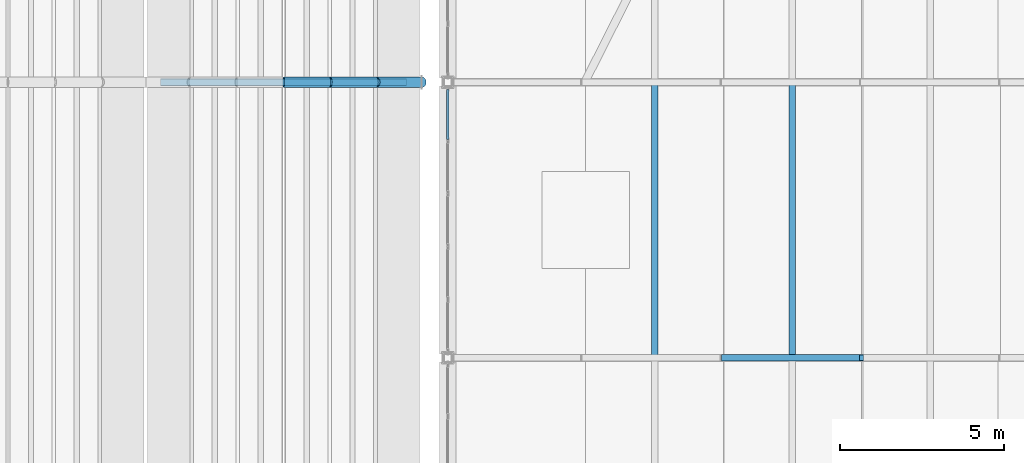
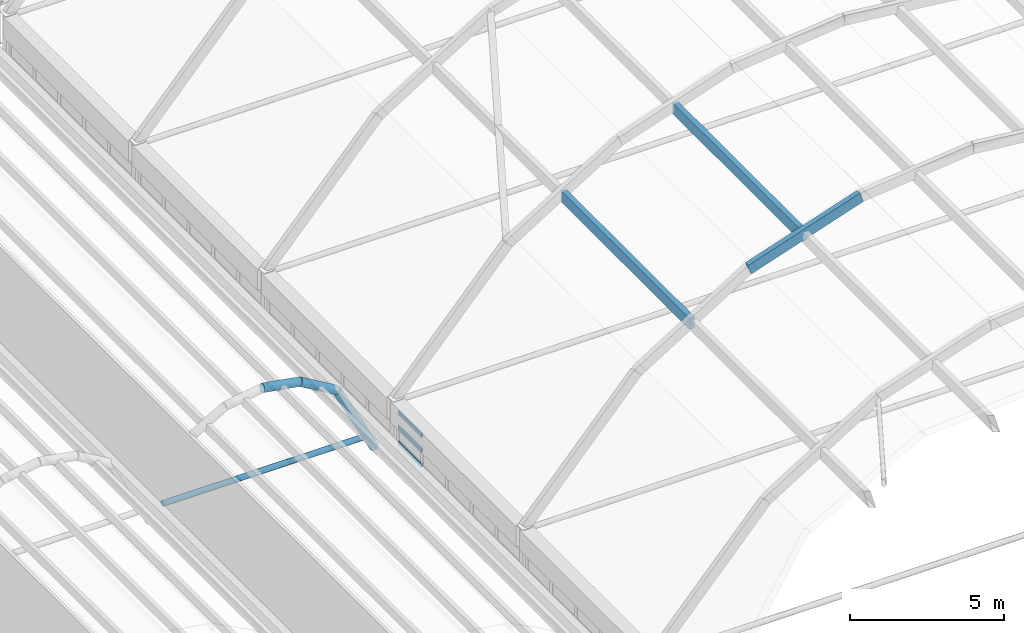
# One storey, part 18 of 114: 5 beams, 5 members, 1 element without a shape of its own.
"""IFC4 building model written with IfcOpenShell, lengths in metres."""

import ifcopenshell
import ifcopenshell.guid

model = None  # the IFC model being written
_history = None  # IfcOwnerHistory: only IFC2X3 demands one
_inside = {}  # id of a spatial element -> (the spatial element, [elements in it])
_under = {}  # id of a project, library or spatial element -> (it, [spatial elements below it])
_declared = {}  # id of a project -> (the project, [libraries it declares])
_typed = {}  # id of a type object -> (the type object, [elements of that type])
_made_of = {}  # id of a material, layer set ... -> (it, [elements and type objects made of it])


def new_model(schema):
    """Start an empty IFC model of exactly this schema.

    Asked for "IFC4X3", IfcOpenShell would pick the latest addendum, in which some entities
    have other attributes; the version numbers below select the first issue.
    IFC2X3 requires an IfcOwnerHistory on every rooted entity: one is made here for all.
    """
    global model, _history
    if schema == "IFC4X3":
        model = ifcopenshell.file(schema_version=(4, 3, 0, 0))
    else:
        model = ifcopenshell.file(schema=schema)
    _inside.clear()
    _under.clear()
    _declared.clear()
    _typed.clear()
    _made_of.clear()
    _history = None
    if model.schema == "IFC2X3":
        org = make("IfcOrganization", Name="unknown")
        user = make(
            "IfcPersonAndOrganization",
            ThePerson=make("IfcPerson", FamilyName="unknown"),
            TheOrganization=org,
        )
        app = make(
            "IfcApplication",
            ApplicationDeveloper=org,
            Version="unknown",
            ApplicationFullName="unknown",
            ApplicationIdentifier="unknown",
        )
        _history = make(
            "IfcOwnerHistory",
            OwningUser=user,
            OwningApplication=app,
            ChangeAction="ADDED",
            CreationDate=0,
        )
    return model


def make(cls, **values):
    """One entity of the class cls with the attributes given. An attribute that is None is left unset."""
    return model.create_entity(
        cls, **{name: value for name, value in values.items() if value is not None}
    )


def rooted(cls, **values):
    """An entity with a GlobalId (a new one), such as an element, a storey or a relation."""
    return make(cls, GlobalId=ifcopenshell.guid.new(), OwnerHistory=_history, **values)


def si_unit(unit_type, name, prefix=None):
    """IfcSIUnit, for example si_unit("LENGTHUNIT", "METRE", prefix="MILLI")."""
    return make("IfcSIUnit", UnitType=unit_type, Prefix=prefix, Name=name)


def assignment(units):
    """IfcUnitAssignment: the units of a project."""
    return None if units is None else make("IfcUnitAssignment", Units=units)


def point(xyz):
    """IfcCartesianPoint."""
    return None if xyz is None else make("IfcCartesianPoint", Coordinates=xyz)


def direction(xyz):
    """IfcDirection."""
    return None if xyz is None else make("IfcDirection", DirectionRatios=xyz)


def frame(location, z_axis=None, x_axis=None):
    """IfcAxis2Placement3D, a coordinate frame: its origin and axes. An axis left out is left unset."""
    return make(
        "IfcAxis2Placement3D",
        Location=point(location),
        Axis=direction(z_axis),
        RefDirection=direction(x_axis),
    )


def frame_2d(location, x_axis=None):
    """IfcAxis2Placement2D, a coordinate frame in the plane: its origin and x axis."""
    return make(
        "IfcAxis2Placement2D", Location=point(location), RefDirection=direction(x_axis)
    )


def origin():
    """The frame at (0, 0, 0) with its axes left unset."""
    return frame((0.0, 0.0, 0.0))


def origin_2d():
    """The frame at (0, 0) in the plane with its x axis left unset."""
    return frame_2d((0.0, 0.0))


def place(relative_to, where):
    """IfcLocalPlacement: puts the frame where relative to a parent placement (None: the world)."""
    return make(
        "IfcLocalPlacement", PlacementRelTo=relative_to, RelativePlacement=where
    )


def context(
    kind, dimensions, precision=None, world=None, true_north=None, identifier=None
):
    """IfcGeometricRepresentationContext, for example the 3D "Model" context."""
    return make(
        "IfcGeometricRepresentationContext",
        ContextIdentifier=identifier,
        ContextType=kind,
        CoordinateSpaceDimension=dimensions,
        Precision=precision,
        WorldCoordinateSystem=world,
        TrueNorth=true_north,
    )


def subcontext(parent, identifier, kind, view, scale=None):
    """IfcGeometricRepresentationSubContext, for example "Body" below "Model"."""
    return make(
        "IfcGeometricRepresentationSubContext",
        ContextIdentifier=identifier,
        ContextType=kind,
        ParentContext=parent,
        TargetScale=scale,
        TargetView=view,
    )


def project(units=None, contexts=None):
    """IfcProject with its units and contexts."""
    return rooted(
        "IfcProject",
        Name="project",
        RepresentationContexts=contexts,
        UnitsInContext=assignment(units),
    )


def spatial(cls, under=None, at=None, **own):
    """A site, building, storey or space (cls), placed at a placement, below another one or the project."""
    s = rooted(cls, ObjectPlacement=at, **own)
    if under is not None:
        _under.setdefault(under.id(), (under, []))[1].append(s)
    return s


def profile(cls, at=None, kind="AREA", **sizes):
    """A parametric profile (cls). Its sizes go by their IFC names, for example OverallWidth=200.0."""
    return make(cls, ProfileType=kind, Position=at, **sizes)


def rectangle(**sizes):
    """IfcRectangleProfileDef."""
    return profile("IfcRectangleProfileDef", **sizes)


def hollow_rectangle(**sizes):
    """IfcRectangleHollowProfileDef."""
    return profile("IfcRectangleHollowProfileDef", **sizes)


def hollow_circle(**sizes):
    """IfcCircleHollowProfileDef."""
    return profile("IfcCircleHollowProfileDef", **sizes)


def extrude(swept, where, along, depth):
    """IfcExtrudedAreaSolid: the profile swept, set in the frame where, extruded along a direction by depth."""
    return make(
        "IfcExtrudedAreaSolid",
        SweptArea=swept,
        Position=where,
        ExtrudedDirection=direction(along),
        Depth=depth,
    )


def shape(context_of_items, identifier, shape_type, items):
    """IfcShapeRepresentation: the items that make up one representation, for example the "Body"."""
    return make(
        "IfcShapeRepresentation",
        ContextOfItems=context_of_items,
        RepresentationIdentifier=identifier,
        RepresentationType=shape_type,
        Items=items,
    )


def material(Name=None, Category=None):
    """IfcMaterial."""
    return make("IfcMaterial", Name=Name, Category=Category)


def layer(
    of_material, thickness, ventilated=None, Name=None, Category=None, Priority=None
):
    """IfcMaterialLayer: one layer of a wall or slab, of a material (None: an air gap)."""
    return make(
        "IfcMaterialLayer",
        Material=of_material,
        LayerThickness=thickness,
        IsVentilated=ventilated,
        Name=Name,
        Category=Category,
        Priority=Priority,
    )


def layer_set(layers, Name=None):
    """IfcMaterialLayerSet."""
    return make("IfcMaterialLayerSet", MaterialLayers=layers, LayerSetName=Name)


def material_profile(
    of_material, cross_section, Name=None, Category=None, Priority=None
):
    """IfcMaterialProfile: a cross section and its material."""
    return make(
        "IfcMaterialProfile",
        Name=Name,
        Material=of_material,
        Profile=cross_section,
        Priority=Priority,
        Category=Category,
    )


def profile_set(profiles, Name=None, composite=None):
    """IfcMaterialProfileSet."""
    return make(
        "IfcMaterialProfileSet",
        Name=Name,
        MaterialProfiles=profiles,
        CompositeProfile=composite,
    )


def made_of(thing, what):
    """Note that an element or type object is made of a material, layer set ...; save() writes the relation."""
    if what is not None:
        _made_of.setdefault(what.id(), (what, []))[1].append(thing)
    return thing


def type_object(cls, material=None, **own):
    """A type object (cls), such as IfcWallType, which elements share."""
    return made_of(rooted(cls, **own), material)


def element(
    cls,
    number,
    at=None,
    inside=None,
    cuts=None,
    type_object=None,
    material=None,
    context=None,
    identifier="Body",
    shape_type=None,
    held_by="IfcProductDefinitionShape",
    body=None,
    shapes=None,
    **own,
):
    """One element of the class cls, such as IfcWall. Its Tag is "e" and its number.

    at: its placement. inside: the storey or other place that contains it. cuts: it is an
    opening in that element (IfcRelVoidsElement). A single representation is given by context,
    identifier, shape_type and body (its items); several are given by shapes. held_by: the class
    of the entity that holds the representations. save() writes the other relations.
    """
    e = rooted(cls, Tag="e%d" % number, ObjectPlacement=at, **own)
    if body is not None:
        shapes = [shape(context, identifier, shape_type, body)]
    if shapes is not None:
        e.Representation = make(held_by, Representations=shapes)
    if inside is not None:
        _inside.setdefault(inside.id(), (inside, []))[1].append(e)
    if cuts is not None:
        rooted(
            "IfcRelVoidsElement", RelatingBuildingElement=cuts, RelatedOpeningElement=e
        )
    if type_object is not None:
        _typed.setdefault(type_object.id(), (type_object, []))[1].append(e)
    return made_of(e, material)


def aggregate(whole, parts):
    """IfcRelAggregates: a whole, such as a stair, and the parts it consists of."""
    return rooted("IfcRelAggregates", RelatingObject=whole, RelatedObjects=parts)


def save(model, path):
    """Write the relations noted so far, then the file.

    IfcRelAggregates (storeys below a building ...), IfcRelContainedInSpatialStructure (elements
    in a storey), IfcRelDefinesByType, IfcRelAssociatesMaterial and IfcRelDeclares: one each for
    every whole, place, type object, material and project.
    """
    for whole, parts in _under.values():
        aggregate(whole, parts)
    for where, things in _inside.values():
        rooted(
            "IfcRelContainedInSpatialStructure",
            RelatedElements=things,
            RelatingStructure=where,
        )
    for kind, things in _typed.values():
        rooted("IfcRelDefinesByType", RelatedObjects=things, RelatingType=kind)
    for what, things in _made_of.values():
        rooted("IfcRelAssociatesMaterial", RelatedObjects=things, RelatingMaterial=what)
    for by, libraries in _declared.values():
        rooted("IfcRelDeclares", RelatingContext=by, RelatedDefinitions=libraries)
    model.write(path)


model = new_model("IFC4")

# Units and contexts
model_context = context("Model", 3, precision=1e-05, world=origin(), true_north=direction((0.0, 1.0)))
body_context = subcontext(model_context, "Body", "Model", "MODEL_VIEW")
ifc_project = project(units=[si_unit("LENGTHUNIT", "METRE"), si_unit("AREAUNIT", "SQUARE_METRE"), si_unit("VOLUMEUNIT", "CUBIC_METRE"), si_unit("PLANEANGLEUNIT", "RADIAN"), si_unit("MASSUNIT", "GRAM", prefix="KILO")], contexts=[model_context])

# Site, building, storey
site_placement = place(None, origin())
site = spatial("IfcSite", under=ifc_project, at=site_placement, CompositionType="ELEMENT")
building_placement = place(site_placement, origin())
building = spatial("IfcBuilding", under=site, at=building_placement, Name="Xazarin Passage Department Store", CompositionType="ELEMENT")
storey_placement = place(building_placement, frame((0.0, 0.0, 14.39990234375)))
storey = spatial("IfcBuildingStorey", under=building, at=storey_placement, Name="L03", CompositionType="ELEMENT", Elevation=14.39990234375)

# Curtain wall, members
ifc_material_1 = material(Name="Bronze anodised aluminium", Category="aluminium")
ifc_layer = layer(ifc_material_1, 0.159912109375)
ifc_layer_set = layer_set([ifc_layer], Name="Bronze anodised aluminium")
curtain_wall_type = type_object("IfcCurtainWallType", Name="ARC-CW-ARC1", PredefinedType="NOTDEFINED", material=ifc_layer_set)
curtain_wall_placement = place(storey_placement, origin())
curtain_wall = element("IfcCurtainWall", 1, at=curtain_wall_placement, inside=storey, type_object=curtain_wall_type, Name="L03 V2S Galleria Clerestory Curtain Wall 3W", PredefinedType="NOTDEFINED")
ifc_material_profile_1 = material_profile(ifc_material_1, hollow_rectangle(XDim=0.06494140625, YDim=0.139892578125, WallThickness=0.00390625, at=origin_2d()), Name="ALU 65x140")
ifc_profile_set_1 = profile_set([ifc_material_profile_1], Name="Bronze anodised aluminium")
member_type_1 = type_object("IfcMemberType", Name="ARC-CWT-65x140", PredefinedType="USERDEFINED", material=ifc_profile_set_1)
member_1_placement = place(storey_placement, frame((68.0, 23.45654296875, 0.03271484375), z_axis=(0.0, 1.0, 0.0), x_axis=(-1.0, 0.0, 0.0)))
member_1 = element("IfcMember", 2, at=member_1_placement, type_object=member_type_1, Name="CW3 transom 5.1", ObjectType="TRANSOM", PredefinedType="USERDEFINED", context=body_context, shape_type="SweptSolid", body=[
    extrude(hollow_rectangle(XDim=0.06494140625, YDim=0.139892578125, WallThickness=0.00390625, at=origin_2d()), origin(), (0.0, 0.0, 1.0), 1.5185546875),
])
member_2_placement = place(storey_placement, frame((68.0, 23.45654296875, 0.6259765625), z_axis=(0.0, 1.0, 0.0), x_axis=(-1.0, 0.0, 0.0)))
member_2 = element("IfcMember", 3, at=member_2_placement, type_object=member_type_1, Name="CW3 transom 5.2", ObjectType="TRANSOM", PredefinedType="USERDEFINED", context=body_context, shape_type="SweptSolid", body=[
    extrude(hollow_rectangle(XDim=0.06494140625, YDim=0.139892578125, WallThickness=0.00390625, at=origin_2d()), origin(), (0.0, 0.0, 1.0), 1.5185546875),
])
member_3_placement = place(storey_placement, frame((68.0, 23.45654296875, 1.21923828125), z_axis=(0.0, 1.0, 0.0), x_axis=(-1.0, 0.0, 0.0)))
member_3 = element("IfcMember", 4, at=member_3_placement, type_object=member_type_1, Name="CW3 transom 5.3", ObjectType="TRANSOM", PredefinedType="USERDEFINED", context=body_context, shape_type="SweptSolid", body=[
    extrude(hollow_rectangle(XDim=0.06494140625, YDim=0.139892578125, WallThickness=0.00390625, at=origin_2d()), origin(), (0.0, 0.0, 1.0), 1.5185546875),
])
aggregate(curtain_wall, [member_1, member_2, member_3])

# Beams
ifc_material_2 = material(Name="Steel S355", Category="steel")
ifc_material_profile_2 = material_profile(ifc_material_2, hollow_circle(Radius=0.161865234375, WallThickness=0.01611328125, at=origin_2d()), Name="CHS 323.9x16")
ifc_profile_set_2 = profile_set([ifc_material_profile_2], Name="Steel S355")
beam_type_1 = type_object("IfcBeamType", Name="STR-BM-AR324", PredefinedType="BEAM", material=ifc_profile_set_2)
beam_1_placement = place(storey_placement, frame((63.0, 25.199951171875, 3.800048828125), z_axis=(0.985764236534, 0.0, -0.168133488547), x_axis=(0.0, 1.0, 0.0)))
element("IfcBeam", 5, at=beam_1_placement, inside=storey, type_object=beam_type_1, Name="L03 V3 Curved Shell Arch Rib 7.2.4", PredefinedType="BEAM", context=body_context, shape_type="SweptSolid", body=[
    extrude(hollow_circle(Radius=0.161865234375, WallThickness=0.01611328125, at=origin_2d()), origin(), (0.0, 0.0, 1.0), 1.420166015625),
])
beam_2_placement = place(storey_placement, frame((64.39990234375, 25.199951171875, 3.561279296875), z_axis=(0.861968986848, 0.0, -0.506961010051), x_axis=(0.0, 1.0, 0.0)))
element("IfcBeam", 6, at=beam_2_placement, inside=storey, type_object=beam_type_1, Name="L03 V3 Curved Shell Arch Rib 7.2.5", PredefinedType="BEAM", context=body_context, shape_type="SweptSolid", body=[
    extrude(hollow_circle(Radius=0.161865234375, WallThickness=0.01611328125, at=origin_2d()), origin(), (0.0, 0.0, 1.0), 1.624267578125),
])
beam_3_placement = place(storey_placement, frame((65.800048828125, 25.199951171875, 2.73779296875), z_axis=(0.455262137498, 0.0, -0.890357448535), x_axis=(0.0, 1.0, 0.0)))
element("IfcBeam", 7, at=beam_3_placement, inside=storey, type_object=beam_type_1, Name="L03 V3 Curved Shell Arch Rib 7.2.6", PredefinedType="BEAM", context=body_context, shape_type="SweptSolid", body=[
    extrude(hollow_circle(Radius=0.161865234375, WallThickness=0.01611328125, at=origin_2d()), origin(), (0.0, 0.0, 1.0), 3.074951171875),
])
ifc_material_profile_3 = material_profile(ifc_material_2, hollow_rectangle(XDim=0.199951171875, YDim=0.39990234375, WallThickness=0.01611328125, at=origin_2d()), Name="RHS 400x200x16")
ifc_profile_set_3 = profile_set([ifc_material_profile_3], Name="Steel S355")
beam_type_2 = type_object("IfcBeamType", Name="STR-BM-AR400", PredefinedType="BEAM", material=ifc_profile_set_3)
beam_4_placement = place(storey_placement, frame((76.39990234375, 16.800048828125, 8.95068359375), z_axis=(0.948462545979, 0.0, 0.31688925333), x_axis=(0.0, 1.0, 0.0)))
element("IfcBeam", 8, at=beam_4_placement, inside=storey, type_object=beam_type_2, Name="V2S Primary Arch Rib 3.3", PredefinedType="BEAM", context=body_context, shape_type="SweptSolid", body=[
    extrude(hollow_rectangle(XDim=0.199951171875, YDim=0.39990234375, WallThickness=0.01611328125, at=origin_2d()), origin(), (0.0, 0.0, 1.0), 4.428466796875),
])
ifc_material_profile_4 = material_profile(ifc_material_2, hollow_circle(Radius=0.109619140625, WallThickness=0.012451171875, at=origin_2d()), Name="CHS 219.1x12.5")
ifc_profile_set_4 = profile_set([ifc_material_profile_4], Name="Steel S355")
beam_type_3 = type_object("IfcBeamType", Name="STR-BM-TIE219", PredefinedType="BEAM", material=ifc_profile_set_4)
beam_5_placement = place(storey_placement, frame((59.25, 25.199951171875, 0.52001953125), z_axis=(1.0, 0.0, 0.0), x_axis=(0.0, 1.0, 0.0)))
element("IfcBeam", 9, at=beam_5_placement, inside=storey, type_object=beam_type_3, Name="L03 V3 Barrel Shell Tie 7.2", PredefinedType="BEAM", context=body_context, shape_type="SweptSolid", body=[
    extrude(hollow_circle(Radius=0.109619140625, WallThickness=0.012451171875, at=origin_2d()), origin(), (0.0, 0.0, 1.0), 7.5),
])

# Members
ifc_material_3 = material(Name="Glulam GL28h", Category="wood")
ifc_material_profile_5 = material_profile(ifc_material_3, rectangle(XDim=0.199951171875, YDim=0.43994140625, at=origin_2d()), Name="GL28h 200x440")
ifc_profile_set_5 = profile_set([ifc_material_profile_5], Name="Glulam GL28h")
member_type_2 = type_object("IfcMemberType", Name="STR-MEM-GL440", PredefinedType="PURLIN", material=ifc_profile_set_5)
for number, where, z_axis, x_axis, name in (
    (10, (74.300048828125, 16.820068359375, 7.501220703125), (0.0, 1.0, 0.0), (-1.0, 0.0, 0.0), "V2S Glulam Gridshell Purlin 3.2"),
    (11, (78.5, 16.820068359375, 9.512451171875), (0.0, 1.0, 0.0), (-1.0, 0.0, 0.0), "V2S Glulam Gridshell Purlin 3.3"),
):
    element("IfcMember", number, at=place(storey_placement, frame(where, z_axis=z_axis, x_axis=x_axis)), inside=storey, type_object=member_type_2, Name=name, PredefinedType="PURLIN", context=body_context, shape_type="SweptSolid", body=[
        extrude(rectangle(XDim=0.199951171875, YDim=0.43994140625, at=origin_2d()), origin(), (0.0, 0.0, 1.0), 8.35986328125),
    ])

save(model, "model.ifc")
